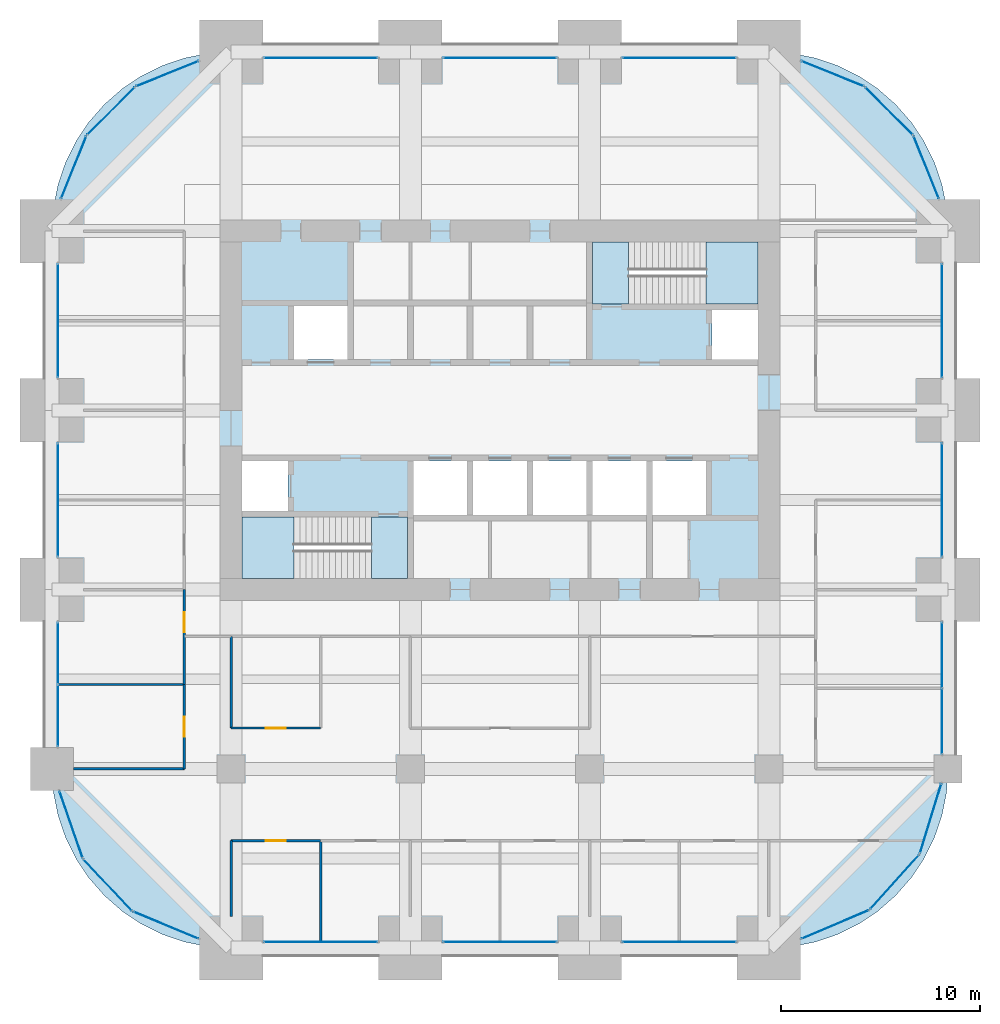
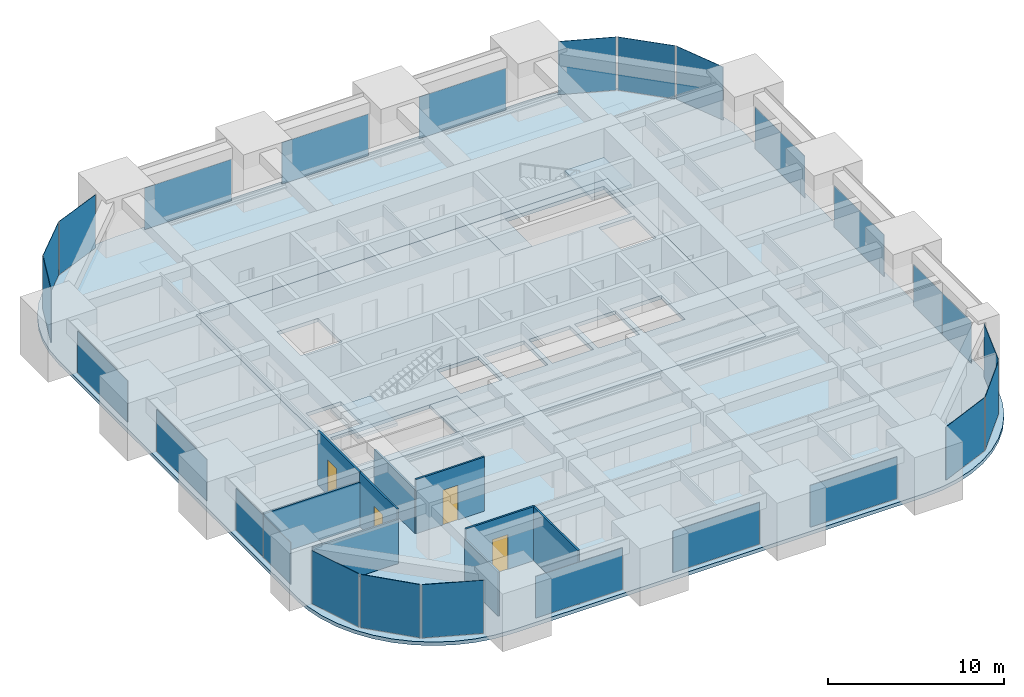
# One storey, part 39 of 43: 26 plates, 9 walls, 6 slabs, 4 doors, 4 openings, 26 elements without a shape of their own.
"""IFC4 building model written with IfcOpenShell, lengths in metres."""

from ifc_helpers import new_model, si_unit, direction, frame, frame_2d, origin, origin_2d, place, context, subcontext, project, spatial, polyline, rectangle, outline, extrude, material, layer, layer_set, type_object, element, fill, aggregate, save


model = new_model("IFC4")

# Units and contexts
model_context = context("Model", 3, precision=1e-05, world=origin(), true_north=direction((0.0, 1.0)))
body_context = subcontext(model_context, "Body", "Model", "MODEL_VIEW")
ifc_project = project(units=[si_unit("LENGTHUNIT", "METRE"), si_unit("AREAUNIT", "SQUARE_METRE"), si_unit("VOLUMEUNIT", "CUBIC_METRE"), si_unit("PLANEANGLEUNIT", "RADIAN"), si_unit("MASSUNIT", "GRAM", prefix="KILO")], contexts=[model_context])

# Site, building, storey
site_placement = place(None, origin())
site = spatial("IfcSite", under=ifc_project, at=site_placement, CompositionType="ELEMENT")
building_placement = place(site_placement, origin())
building = spatial("IfcBuilding", under=site, at=building_placement, Name="Zorevar Civic Tower", CompositionType="ELEMENT")
storey_placement = place(building_placement, frame((0.0, 0.0, 243.39990234375)))
storey = spatial("IfcBuildingStorey", under=building, at=storey_placement, Name="L59", CompositionType="ELEMENT", Elevation=243.39990234375)

# Curtain wall, plate
ifc_material_1 = material(Name="Dark grey solar-control glass in black aluminium frame", Category="aluminium")
curtain_wall_type = type_object("IfcCurtainWallType", Name="Curtain wall CW5 top zone", PredefinedType="NOTDEFINED", material=ifc_material_1)
curtain_wall_1_placement = place(storey_placement, origin())
curtain_wall_1 = element("IfcCurtainWall", 1, at=curtain_wall_1_placement, inside=storey, type_object=curtain_wall_type, Name="CW5 L59", PredefinedType="NOTDEFINED")
ifc_material_2 = material(Name="Dark grey solar-control glass", Category="glass")
ifc_layer_1 = layer(ifc_material_2, 0.028076171875)
ifc_layer_set_1 = layer_set([ifc_layer_1], Name="CW5 panel 28")
plate_type = type_object("IfcPlateType", Name="CW5 panel 28", PredefinedType="CURTAIN_PANEL", material=ifc_layer_set_1)
plate_1_placement = place(storey_placement, frame((22.5, 0.300048828125, 0.06005859375), z_axis=(0.0, 0.0, 1.0), x_axis=(1.0, 0.0, 0.0)))
plate_1 = element("IfcPlate", 2, at=plate_1_placement, type_object=plate_type, Name="CW5 panel 1.1", PredefinedType="CURTAIN_PANEL", context=body_context, shape_type="SweptSolid", body=[
    extrude(rectangle(XDim=5.679931640625, YDim=0.028076171875, at=origin_2d()), origin(), (0.0, 0.0, 1.0), 2.889892578125),
])
aggregate(curtain_wall_1, [plate_1])

curtain_wall_2_placement = place(storey_placement, origin())
curtain_wall_2 = element("IfcCurtainWall", 3, at=curtain_wall_2_placement, inside=storey, type_object=curtain_wall_type, Name="CW5 L59", PredefinedType="NOTDEFINED")
plate_2_placement = place(storey_placement, frame((22.5, 44.699951171875, 0.06005859375), z_axis=(0.0, 0.0, 1.0), x_axis=(1.0, 0.0, 0.0)))
plate_2 = element("IfcPlate", 4, at=plate_2_placement, type_object=plate_type, Name="CW5 panel 1.1", PredefinedType="CURTAIN_PANEL", context=body_context, shape_type="SweptSolid", body=[
    extrude(rectangle(XDim=5.679931640625, YDim=0.028076171875, at=origin_2d()), origin(), (0.0, 0.0, 1.0), 2.889892578125),
])
aggregate(curtain_wall_2, [plate_2])

curtain_wall_3_placement = place(storey_placement, origin())
curtain_wall_3 = element("IfcCurtainWall", 5, at=curtain_wall_3_placement, inside=storey, type_object=curtain_wall_type, Name="CW5 L59", PredefinedType="NOTDEFINED")
plate_3_placement = place(storey_placement, frame((31.5, 0.300048828125, 0.06005859375), z_axis=(0.0, 0.0, 1.0), x_axis=(1.0, 0.0, 0.0)))
plate_3 = element("IfcPlate", 6, at=plate_3_placement, type_object=plate_type, Name="CW5 panel 1.1", PredefinedType="CURTAIN_PANEL", context=body_context, shape_type="SweptSolid", body=[
    extrude(rectangle(XDim=5.679931640625, YDim=0.028076171875, at=origin_2d()), origin(), (0.0, 0.0, 1.0), 2.889892578125),
])
aggregate(curtain_wall_3, [plate_3])

curtain_wall_4_placement = place(storey_placement, origin())
curtain_wall_4 = element("IfcCurtainWall", 7, at=curtain_wall_4_placement, inside=storey, type_object=curtain_wall_type, Name="CW5 L59", PredefinedType="NOTDEFINED")
plate_4_placement = place(storey_placement, frame((31.5, 44.699951171875, 0.06005859375), z_axis=(0.0, 0.0, 1.0), x_axis=(1.0, 0.0, 0.0)))
plate_4 = element("IfcPlate", 8, at=plate_4_placement, type_object=plate_type, Name="CW5 panel 1.1", PredefinedType="CURTAIN_PANEL", context=body_context, shape_type="SweptSolid", body=[
    extrude(rectangle(XDim=5.679931640625, YDim=0.028076171875, at=origin_2d()), origin(), (0.0, 0.0, 1.0), 2.889892578125),
])
aggregate(curtain_wall_4, [plate_4])

curtain_wall_5_placement = place(storey_placement, origin())
curtain_wall_5 = element("IfcCurtainWall", 9, at=curtain_wall_5_placement, inside=storey, type_object=curtain_wall_type, Name="CW5 L59", PredefinedType="NOTDEFINED")
plate_5_placement = place(storey_placement, frame((40.5, 0.300048828125, 0.06005859375), z_axis=(0.0, 0.0, 1.0), x_axis=(1.0, 0.0, 0.0)))
plate_5 = element("IfcPlate", 10, at=plate_5_placement, type_object=plate_type, Name="CW5 panel 1.1", PredefinedType="CURTAIN_PANEL", context=body_context, shape_type="SweptSolid", body=[
    extrude(rectangle(XDim=5.679931640625, YDim=0.028076171875, at=origin_2d()), origin(), (0.0, 0.0, 1.0), 2.889892578125),
])
aggregate(curtain_wall_5, [plate_5])

curtain_wall_6_placement = place(storey_placement, origin())
curtain_wall_6 = element("IfcCurtainWall", 11, at=curtain_wall_6_placement, inside=storey, type_object=curtain_wall_type, Name="CW5 L59", PredefinedType="NOTDEFINED")
plate_6_placement = place(storey_placement, frame((40.5, 44.699951171875, 0.06005859375), z_axis=(0.0, 0.0, 1.0), x_axis=(1.0, 0.0, 0.0)))
plate_6 = element("IfcPlate", 12, at=plate_6_placement, type_object=plate_type, Name="CW5 panel 1.1", PredefinedType="CURTAIN_PANEL", context=body_context, shape_type="SweptSolid", body=[
    extrude(rectangle(XDim=5.679931640625, YDim=0.028076171875, at=origin_2d()), origin(), (0.0, 0.0, 1.0), 2.889892578125),
])
aggregate(curtain_wall_6, [plate_6])

# Curtain wall, plates
curtain_wall_7_placement = place(storey_placement, origin())
curtain_wall_7 = element("IfcCurtainWall", 13, at=curtain_wall_7_placement, inside=storey, type_object=curtain_wall_type, Name="CW5 L59", PredefinedType="NOTDEFINED")
plate_7_placement = place(storey_placement, frame((9.300048828125, 11.671142578125, 0.06005859375), z_axis=(0.0, 0.0, 1.0), x_axis=(0.0, 1.0, 0.0)))
plate_7 = element("IfcPlate", 14, at=plate_7_placement, type_object=plate_type, Name="CW5 panel 1.1", PredefinedType="CURTAIN_PANEL", context=body_context, shape_type="SweptSolid", body=[
    extrude(rectangle(XDim=3.072509765625, YDim=0.028076171875, at=origin_2d()), origin(), (0.0, 0.0, 1.0), 2.889892578125),
])
plate_8_placement = place(storey_placement, frame((9.300048828125, 14.8037109375, 0.06005859375), z_axis=(0.0, 0.0, 1.0), x_axis=(0.0, 1.0, 0.0)))
plate_8 = element("IfcPlate", 15, at=plate_8_placement, type_object=plate_type, Name="CW5 panel 2.1", PredefinedType="CURTAIN_PANEL", context=body_context, shape_type="SweptSolid", body=[
    extrude(rectangle(XDim=3.072509765625, YDim=0.028076171875, at=origin_2d()), origin(), (0.0, 0.0, 1.0), 2.889892578125),
])
aggregate(curtain_wall_7, [plate_7, plate_8])

curtain_wall_8_placement = place(storey_placement, origin())
curtain_wall_8 = element("IfcCurtainWall", 16, at=curtain_wall_8_placement, inside=storey, type_object=curtain_wall_type, Name="CW5 L59", PredefinedType="NOTDEFINED")
plate_9_placement = place(storey_placement, frame((53.699951171875, 11.389892578125, 0.06005859375), z_axis=(0.0, 0.0, 1.0), x_axis=(0.0, 1.0, 0.0)))
plate_9 = element("IfcPlate", 17, at=plate_9_placement, type_object=plate_type, Name="CW5 panel 1.1", PredefinedType="CURTAIN_PANEL", context=body_context, shape_type="SweptSolid", body=[
    extrude(rectangle(XDim=3.260009765625, YDim=0.028076171875, at=origin_2d()), origin(), (0.0, 0.0, 1.0), 2.889892578125),
])
plate_10_placement = place(storey_placement, frame((53.699951171875, 14.7099609375, 0.06005859375), z_axis=(0.0, 0.0, 1.0), x_axis=(0.0, 1.0, 0.0)))
plate_10 = element("IfcPlate", 18, at=plate_10_placement, type_object=plate_type, Name="CW5 panel 2.1", PredefinedType="CURTAIN_PANEL", context=body_context, shape_type="SweptSolid", body=[
    extrude(rectangle(XDim=3.260009765625, YDim=0.028076171875, at=origin_2d()), origin(), (0.0, 0.0, 1.0), 2.889892578125),
])
aggregate(curtain_wall_8, [plate_9, plate_10])

# Curtain wall, plate
curtain_wall_9_placement = place(storey_placement, origin())
curtain_wall_9 = element("IfcCurtainWall", 19, at=curtain_wall_9_placement, inside=storey, type_object=curtain_wall_type, Name="CW5 L59", PredefinedType="NOTDEFINED")
plate_11_placement = place(storey_placement, frame((9.300048828125, 22.5, 0.06005859375), z_axis=(0.0, 0.0, 1.0), x_axis=(0.0, 1.0, 0.0)))
plate_11 = element("IfcPlate", 20, at=plate_11_placement, type_object=plate_type, Name="CW5 panel 1.1", PredefinedType="CURTAIN_PANEL", context=body_context, shape_type="SweptSolid", body=[
    extrude(rectangle(XDim=5.679931640625, YDim=0.028076171875, at=origin_2d()), origin(), (0.0, 0.0, 1.0), 2.889892578125),
])
aggregate(curtain_wall_9, [plate_11])

curtain_wall_10_placement = place(storey_placement, origin())
curtain_wall_10 = element("IfcCurtainWall", 21, at=curtain_wall_10_placement, inside=storey, type_object=curtain_wall_type, Name="CW5 L59", PredefinedType="NOTDEFINED")
plate_12_placement = place(storey_placement, frame((53.699951171875, 22.5, 0.06005859375), z_axis=(0.0, 0.0, 1.0), x_axis=(0.0, 1.0, 0.0)))
plate_12 = element("IfcPlate", 22, at=plate_12_placement, type_object=plate_type, Name="CW5 panel 1.1", PredefinedType="CURTAIN_PANEL", context=body_context, shape_type="SweptSolid", body=[
    extrude(rectangle(XDim=5.679931640625, YDim=0.028076171875, at=origin_2d()), origin(), (0.0, 0.0, 1.0), 2.889892578125),
])
aggregate(curtain_wall_10, [plate_12])

curtain_wall_11_placement = place(storey_placement, origin())
curtain_wall_11 = element("IfcCurtainWall", 23, at=curtain_wall_11_placement, inside=storey, type_object=curtain_wall_type, Name="CW5 L59", PredefinedType="NOTDEFINED")
plate_13_placement = place(storey_placement, frame((9.300048828125, 31.5, 0.06005859375), z_axis=(0.0, 0.0, 1.0), x_axis=(0.0, 1.0, 0.0)))
plate_13 = element("IfcPlate", 24, at=plate_13_placement, type_object=plate_type, Name="CW5 panel 1.1", PredefinedType="CURTAIN_PANEL", context=body_context, shape_type="SweptSolid", body=[
    extrude(rectangle(XDim=5.679931640625, YDim=0.028076171875, at=origin_2d()), origin(), (0.0, 0.0, 1.0), 2.889892578125),
])
aggregate(curtain_wall_11, [plate_13])

curtain_wall_12_placement = place(storey_placement, origin())
curtain_wall_12 = element("IfcCurtainWall", 25, at=curtain_wall_12_placement, inside=storey, type_object=curtain_wall_type, Name="CW5 L59", PredefinedType="NOTDEFINED")
plate_14_placement = place(storey_placement, frame((53.699951171875, 31.5, 0.06005859375), z_axis=(0.0, 0.0, 1.0), x_axis=(0.0, 1.0, 0.0)))
plate_14 = element("IfcPlate", 26, at=plate_14_placement, type_object=plate_type, Name="CW5 panel 1.1", PredefinedType="CURTAIN_PANEL", context=body_context, shape_type="SweptSolid", body=[
    extrude(rectangle(XDim=5.679931640625, YDim=0.028076171875, at=origin_2d()), origin(), (0.0, 0.0, 1.0), 2.889892578125),
])
aggregate(curtain_wall_12, [plate_14])

curtain_wall_13_placement = place(storey_placement, origin())
curtain_wall_13 = element("IfcCurtainWall", 27, at=curtain_wall_13_placement, inside=storey, type_object=curtain_wall_type, Name="CW5 L59", PredefinedType="NOTDEFINED")
plate_15_placement = place(storey_placement, frame((48.32763671875, 1.18408203125, 0.06005859375), z_axis=(0.0, 0.0, 1.0), x_axis=(0.920084364889, 0.391720259226, 0.0)))
plate_15 = element("IfcPlate", 28, at=plate_15_placement, type_object=plate_type, Name="CW5 panel 1.1", PredefinedType="CURTAIN_PANEL", context=body_context, shape_type="SweptSolid", body=[
    extrude(rectangle(XDim=3.635498046875, YDim=0.028076171875, at=origin_2d()), origin(), (0.0, 0.0, 1.0), 3.68994140625),
])
aggregate(curtain_wall_13, [plate_15])

curtain_wall_14_placement = place(storey_placement, origin())
curtain_wall_14 = element("IfcCurtainWall", 29, at=curtain_wall_14_placement, inside=storey, type_object=curtain_wall_type, Name="CW5 L59", PredefinedType="NOTDEFINED")
plate_16_placement = place(storey_placement, frame((51.31201171875, 3.31494140625, 0.06005859375), z_axis=(0.0, 0.0, 1.0), x_axis=(0.669241992122, 0.743044518169, 0.0)))
plate_16 = element("IfcPlate", 30, at=plate_16_placement, type_object=plate_type, Name="CW5 panel 1.1", PredefinedType="CURTAIN_PANEL", context=body_context, shape_type="SweptSolid", body=[
    extrude(rectangle(XDim=3.635498046875, YDim=0.028076171875, at=origin_2d()), origin(), (0.0, 0.0, 1.0), 3.68994140625),
])
aggregate(curtain_wall_14, [plate_16])

curtain_wall_15_placement = place(storey_placement, origin())
curtain_wall_15 = element("IfcCurtainWall", 31, at=curtain_wall_15_placement, inside=storey, type_object=curtain_wall_type, Name="CW5 L59", PredefinedType="NOTDEFINED")
plate_17_placement = place(storey_placement, frame((53.120361328125, 6.505126953125, 0.06005859375), z_axis=(0.0, 0.0, 1.0), x_axis=(0.293691991287, 0.955900106839, 0.0)))
plate_17 = element("IfcPlate", 32, at=plate_17_placement, type_object=plate_type, Name="CW5 panel 1.1", PredefinedType="CURTAIN_PANEL", context=body_context, shape_type="SweptSolid", body=[
    extrude(rectangle(XDim=3.635498046875, YDim=0.028076171875, at=origin_2d()), origin(), (0.0, 0.0, 1.0), 3.68994140625),
])
aggregate(curtain_wall_15, [plate_17])

curtain_wall_16_placement = place(storey_placement, origin())
curtain_wall_16 = element("IfcCurtainWall", 33, at=curtain_wall_16_placement, inside=storey, type_object=curtain_wall_type, Name="CW5 L59", PredefinedType="NOTDEFINED")
plate_18_placement = place(storey_placement, frame((52.90185546875, 39.202880859375, 0.06005859375), z_axis=(0.0, 0.0, 1.0), x_axis=(-0.375650166453, 0.926761540227, 0.0)))
plate_18 = element("IfcPlate", 34, at=plate_18_placement, type_object=plate_type, Name="CW5 panel 1.1", PredefinedType="CURTAIN_PANEL", context=body_context, shape_type="SweptSolid", body=[
    extrude(rectangle(XDim=3.33935546875, YDim=0.028076171875, at=origin_2d()), origin(), (0.0, 0.0, 1.0), 3.68994140625),
])
aggregate(curtain_wall_16, [plate_18])

curtain_wall_17_placement = place(storey_placement, origin())
curtain_wall_17 = element("IfcCurtainWall", 35, at=curtain_wall_17_placement, inside=storey, type_object=curtain_wall_type, Name="CW5 L59", PredefinedType="NOTDEFINED")
plate_19_placement = place(storey_placement, frame((51.029052734375, 42.029052734375, 0.06005859375), z_axis=(0.0, 0.0, 1.0), x_axis=(-0.707106781187, 0.707106781187, 0.0)))
plate_19 = element("IfcPlate", 36, at=plate_19_placement, type_object=plate_type, Name="CW5 panel 1.1", PredefinedType="CURTAIN_PANEL", context=body_context, shape_type="SweptSolid", body=[
    extrude(rectangle(XDim=3.33935546875, YDim=0.028076171875, at=origin_2d()), origin(), (0.0, 0.0, 1.0), 3.68994140625),
])
aggregate(curtain_wall_17, [plate_19])

curtain_wall_18_placement = place(storey_placement, origin())
curtain_wall_18 = element("IfcCurtainWall", 37, at=curtain_wall_18_placement, inside=storey, type_object=curtain_wall_type, Name="CW5 L59", PredefinedType="NOTDEFINED")
plate_20_placement = place(storey_placement, frame((48.202880859375, 43.90185546875, 0.06005859375), z_axis=(0.0, 0.0, 1.0), x_axis=(-0.926761540227, 0.375650166453, 0.0)))
plate_20 = element("IfcPlate", 38, at=plate_20_placement, type_object=plate_type, Name="CW5 panel 1.1", PredefinedType="CURTAIN_PANEL", context=body_context, shape_type="SweptSolid", body=[
    extrude(rectangle(XDim=3.33935546875, YDim=0.028076171875, at=origin_2d()), origin(), (0.0, 0.0, 1.0), 3.68994140625),
])
aggregate(curtain_wall_18, [plate_20])

curtain_wall_19_placement = place(storey_placement, origin())
curtain_wall_19 = element("IfcCurtainWall", 39, at=curtain_wall_19_placement, inside=storey, type_object=curtain_wall_type, Name="CW5 L59", PredefinedType="NOTDEFINED")
plate_21_placement = place(storey_placement, frame((14.797119140625, 43.90185546875, 0.06005859375), z_axis=(0.0, 0.0, 1.0), x_axis=(-0.926761540227, -0.375650166453, 0.0)))
plate_21 = element("IfcPlate", 40, at=plate_21_placement, type_object=plate_type, Name="CW5 panel 1.1", PredefinedType="CURTAIN_PANEL", context=body_context, shape_type="SweptSolid", body=[
    extrude(rectangle(XDim=3.33935546875, YDim=0.028076171875, at=origin_2d()), origin(), (0.0, 0.0, 1.0), 3.68994140625),
])
aggregate(curtain_wall_19, [plate_21])

curtain_wall_20_placement = place(storey_placement, origin())
curtain_wall_20 = element("IfcCurtainWall", 41, at=curtain_wall_20_placement, inside=storey, type_object=curtain_wall_type, Name="CW5 L59", PredefinedType="NOTDEFINED")
plate_22_placement = place(storey_placement, frame((11.970947265625, 42.029052734375, 0.06005859375), z_axis=(0.0, 0.0, 1.0), x_axis=(-0.707106781187, -0.707106781187, 0.0)))
plate_22 = element("IfcPlate", 42, at=plate_22_placement, type_object=plate_type, Name="CW5 panel 1.1", PredefinedType="CURTAIN_PANEL", context=body_context, shape_type="SweptSolid", body=[
    extrude(rectangle(XDim=3.33935546875, YDim=0.028076171875, at=origin_2d()), origin(), (0.0, 0.0, 1.0), 3.68994140625),
])
aggregate(curtain_wall_20, [plate_22])

curtain_wall_21_placement = place(storey_placement, origin())
curtain_wall_21 = element("IfcCurtainWall", 43, at=curtain_wall_21_placement, inside=storey, type_object=curtain_wall_type, Name="CW5 L59", PredefinedType="NOTDEFINED")
plate_23_placement = place(storey_placement, frame((10.09814453125, 39.202880859375, 0.06005859375), z_axis=(0.0, 0.0, 1.0), x_axis=(-0.375650166453, -0.926761540227, 0.0)))
plate_23 = element("IfcPlate", 44, at=plate_23_placement, type_object=plate_type, Name="CW5 panel 1.1", PredefinedType="CURTAIN_PANEL", context=body_context, shape_type="SweptSolid", body=[
    extrude(rectangle(XDim=3.33935546875, YDim=0.028076171875, at=origin_2d()), origin(), (0.0, 0.0, 1.0), 3.68994140625),
])
aggregate(curtain_wall_21, [plate_23])

curtain_wall_22_placement = place(storey_placement, origin())
curtain_wall_22 = element("IfcCurtainWall", 45, at=curtain_wall_22_placement, inside=storey, type_object=curtain_wall_type, Name="CW5 L59", PredefinedType="NOTDEFINED")
plate_24_placement = place(storey_placement, frame((9.962646484375, 6.209228515625, 0.06005859375), z_axis=(0.0, 0.0, 1.0), x_axis=(0.328026425047, -0.944668547413, 0.0)))
plate_24 = element("IfcPlate", 46, at=plate_24_placement, type_object=plate_type, Name="CW5 panel 1.1", PredefinedType="CURTAIN_PANEL", context=body_context, shape_type="SweptSolid", body=[
    extrude(rectangle(XDim=3.5126953125, YDim=0.028076171875, at=origin_2d()), origin(), (0.0, 0.0, 1.0), 3.68994140625),
])
aggregate(curtain_wall_22, [plate_24])

curtain_wall_23_placement = place(storey_placement, origin())
curtain_wall_23 = element("IfcCurtainWall", 47, at=curtain_wall_23_placement, inside=storey, type_object=curtain_wall_type, Name="CW5 L59", PredefinedType="NOTDEFINED")
plate_25_placement = place(storey_placement, frame((11.802978515625, 3.17041015625, 0.06005859375), z_axis=(0.0, 0.0, 1.0), x_axis=(0.68518489169, -0.728369181253, 0.0)))
plate_25 = element("IfcPlate", 48, at=plate_25_placement, type_object=plate_type, Name="CW5 panel 1.1", PredefinedType="CURTAIN_PANEL", context=body_context, shape_type="SweptSolid", body=[
    extrude(rectangle(XDim=3.5126953125, YDim=0.028076171875, at=origin_2d()), origin(), (0.0, 0.0, 1.0), 3.68994140625),
])
aggregate(curtain_wall_23, [plate_25])

curtain_wall_24_placement = place(storey_placement, origin())
curtain_wall_24 = element("IfcCurtainWall", 49, at=curtain_wall_24_placement, inside=storey, type_object=curtain_wall_type, Name="CW5 L59", PredefinedType="NOTDEFINED")
plate_26_placement = place(storey_placement, frame((14.7236328125, 1.14794921875, 0.06005859375), z_axis=(0.0, 0.0, 1.0), x_axis=(0.922883004992, -0.385080457954, 0.0)))
plate_26 = element("IfcPlate", 50, at=plate_26_placement, type_object=plate_type, Name="CW5 panel 1.1", PredefinedType="CURTAIN_PANEL", context=body_context, shape_type="SweptSolid", body=[
    extrude(rectangle(XDim=3.5126953125, YDim=0.028076171875, at=origin_2d()), origin(), (0.0, 0.0, 1.0), 3.68994140625),
])
aggregate(curtain_wall_24, [plate_26])

# Slabs
ifc_material_3 = material(Name="Concrete C40/50", Category="concrete")
ifc_layer_2 = layer(ifc_material_3, 0.25)
ifc_layer_set_2 = layer_set([ifc_layer_2], Name="Floor slab 250")
slab_type_1 = type_object("IfcSlabType", Name="Floor slab 250", PredefinedType="FLOOR", material=ifc_layer_set_2)
slab_1_placement = place(storey_placement, frame((0.0, 0.0, -0.25)))
element("IfcSlab", 51, at=slab_1_placement, inside=storey, type_object=slab_type_1, Name="Floor slab L59", PredefinedType="FLOOR", context=body_context, shape_type="SweptSolid", body=[
    extrude(outline(polyline([(45.0, 0.0), (46.1748046875, 0.076904296875), (47.329345703125, 0.306640625), (48.444091796875, 0.68505859375), (49.5, 1.205810546875), (50.478759765625, 1.85986328125), (51.364013671875, 2.635986328125), (52.14013671875, 3.521240234375), (52.794189453125, 4.5), (53.31494140625, 5.555908203125), (53.693359375, 6.670654296875), (53.923095703125, 7.8251953125), (54.0, 9.0), (54.0, 36.0), (53.923095703125, 37.1748046875), (53.693359375, 38.329345703125), (53.31494140625, 39.444091796875), (52.794189453125, 40.5), (52.14013671875, 41.478759765625), (51.364013671875, 42.364013671875), (50.478759765625, 43.14013671875), (49.5, 43.794189453125), (48.444091796875, 44.31494140625), (47.329345703125, 44.693359375), (46.1748046875, 44.923095703125), (45.0, 45.0), (18.0, 45.0), (16.8251953125, 44.923095703125), (15.670654296875, 44.693359375), (14.555908203125, 44.31494140625), (13.5, 43.794189453125), (12.521240234375, 43.14013671875), (11.635986328125, 42.364013671875), (10.85986328125, 41.478759765625), (10.205810546875, 40.5), (9.68505859375, 39.444091796875), (9.306640625, 38.329345703125), (9.076904296875, 37.1748046875), (9.0, 36.0), (9.0, 9.0), (9.076904296875, 7.8251953125), (9.306640625, 6.670654296875), (9.68505859375, 5.555908203125), (10.205810546875, 4.5), (10.85986328125, 3.521240234375), (11.635986328125, 2.635986328125), (12.521240234375, 1.85986328125), (13.5, 1.205810546875), (14.555908203125, 0.68505859375), (15.670654296875, 0.306640625), (16.8251953125, 0.076904296875), (18.0, 0.0), (45.0, 0.0)]), holes=[polyline([(18.0, 18.0), (45.0, 18.0), (45.0, 36.0), (18.0, 36.0), (18.0, 18.0)])]), origin(), (0.0, 0.0, 1.0), 0.25),
])
slab_2_placement = place(storey_placement, frame((0.0, 0.0, -0.25)))
element("IfcSlab", 52, at=slab_2_placement, inside=storey, type_object=slab_type_1, Name="Core floor L59", PredefinedType="FLOOR", context=body_context, shape_type="SweptSolid", body=[
    extrude(outline(polyline([(18.0, 18.0), (45.0, 18.0), (45.0, 36.0), (18.0, 36.0), (18.0, 18.0)]), holes=[polyline([(18.550048828125, 18.550048828125), (26.85009765625, 18.550048828125), (26.85009765625, 21.64990234375), (18.550048828125, 21.64990234375), (18.550048828125, 18.550048828125)]), polyline([(36.14990234375, 32.35009765625), (44.449951171875, 32.35009765625), (44.449951171875, 35.449951171875), (36.14990234375, 35.449951171875), (36.14990234375, 32.35009765625)]), polyline([(18.550048828125, 21.949951171875), (20.85009765625, 21.949951171875), (20.85009765625, 24.449951171875), (18.550048828125, 24.449951171875), (18.550048828125, 21.949951171875)]), polyline([(42.14990234375, 29.550048828125), (44.449951171875, 29.550048828125), (44.449951171875, 32.050048828125), (42.14990234375, 32.050048828125), (42.14990234375, 29.550048828125)]), polyline([(27.14990234375, 21.75), (29.85009765625, 21.75), (29.85009765625, 24.449951171875), (27.14990234375, 24.449951171875), (27.14990234375, 21.75)]), polyline([(30.14990234375, 21.75), (32.85009765625, 21.75), (32.85009765625, 24.449951171875), (30.14990234375, 24.449951171875), (30.14990234375, 21.75)]), polyline([(33.14990234375, 21.75), (35.85009765625, 21.75), (35.85009765625, 24.449951171875), (33.14990234375, 24.449951171875), (33.14990234375, 21.75)]), polyline([(36.14990234375, 21.75), (38.85009765625, 21.75), (38.85009765625, 24.449951171875), (36.14990234375, 24.449951171875), (36.14990234375, 21.75)]), polyline([(39.14990234375, 21.75), (41.85009765625, 21.75), (41.85009765625, 24.449951171875), (39.14990234375, 24.449951171875), (39.14990234375, 21.75)]), polyline([(21.14990234375, 29.550048828125), (23.85009765625, 29.550048828125), (23.85009765625, 32.25), (21.14990234375, 32.25), (21.14990234375, 29.550048828125)])]), origin(), (0.0, 0.0, 1.0), 0.25),
])

# Stair, slabs
ifc_material_4 = material(Name="Precast concrete C40/50", Category="concrete")
stair_type = type_object("IfcStairType", Name="Stair ST 28R", PredefinedType="HALF_TURN_STAIR", material=ifc_material_4)
stair_1_placement = place(storey_placement, origin())
stair_1 = element("IfcStair", 53, at=stair_1_placement, inside=storey, type_object=stair_type, Name="Stair ST1 L59", PredefinedType="HALF_TURN_STAIR")
ifc_material_5 = material(Name="Concrete C40/50", Category="concrete")
ifc_layer_3 = layer(ifc_material_5, 0.199951171875)
ifc_layer_set_3 = layer_set([ifc_layer_3], Name="Stair landing 200")
slab_type_2 = type_object("IfcSlabType", Name="Stair landing 200", PredefinedType="LANDING", material=ifc_layer_set_3)
slab_3_placement = place(storey_placement, frame((0.0, 0.0, -0.199951171875)))
slab_3 = element("IfcSlab", 54, at=slab_3_placement, type_object=slab_type_2, Name="ST1 landing 1", PredefinedType="LANDING", context=body_context, shape_type="SweptSolid", body=[
    extrude(outline(polyline([(25.050048828125, 18.550048828125), (26.85009765625, 18.550048828125), (26.85009765625, 21.64990234375), (25.050048828125, 21.64990234375), (25.050048828125, 18.550048828125)])), origin(), (0.0, 0.0, 1.0), 0.199951171875),
])
slab_4_placement = place(storey_placement, frame((0.0, 0.0, 1.800048828125)))
slab_4 = element("IfcSlab", 55, at=slab_4_placement, type_object=slab_type_2, Name="ST1 landing 2", PredefinedType="LANDING", context=body_context, shape_type="SweptSolid", body=[
    extrude(outline(polyline([(18.550048828125, 18.550048828125), (21.14990234375, 18.550048828125), (21.14990234375, 21.64990234375), (18.550048828125, 21.64990234375), (18.550048828125, 18.550048828125)])), origin(), (0.0, 0.0, 1.0), 0.199951171875),
])
aggregate(stair_1, [slab_3, slab_4])

stair_2_placement = place(storey_placement, origin())
stair_2 = element("IfcStair", 56, at=stair_2_placement, inside=storey, type_object=stair_type, Name="Stair ST2 L59", PredefinedType="HALF_TURN_STAIR")
slab_5_placement = place(storey_placement, frame((0.0, 0.0, -0.199951171875)))
slab_5 = element("IfcSlab", 57, at=slab_5_placement, type_object=slab_type_2, Name="ST2 landing 1", PredefinedType="LANDING", context=body_context, shape_type="SweptSolid", body=[
    extrude(outline(polyline([(37.949951171875, 32.35009765625), (36.14990234375, 32.35009765625), (36.14990234375, 35.449951171875), (37.949951171875, 35.449951171875), (37.949951171875, 32.35009765625)])), origin(), (0.0, 0.0, 1.0), 0.199951171875),
])
slab_6_placement = place(storey_placement, frame((0.0, 0.0, 1.800048828125)))
slab_6 = element("IfcSlab", 58, at=slab_6_placement, type_object=slab_type_2, Name="ST2 landing 2", PredefinedType="LANDING", context=body_context, shape_type="SweptSolid", body=[
    extrude(outline(polyline([(44.449951171875, 32.35009765625), (41.85009765625, 32.35009765625), (41.85009765625, 35.449951171875), (44.449951171875, 35.449951171875), (44.449951171875, 32.35009765625)])), origin(), (0.0, 0.0, 1.0), 0.199951171875),
])
aggregate(stair_2, [slab_5, slab_6])

# Wall, opening, door
ifc_material_6 = material(Name="Gypsum board on steel studs", Category="steel")
ifc_layer_4 = layer(ifc_material_6, 0.1201171875)
ifc_layer_set_4 = layer_set([ifc_layer_4], Name="Partition 120")
wall_type = type_object("IfcWallType", Name="Partition 120", PredefinedType="PARTITIONING", material=ifc_layer_set_4)
wall_1_placement = place(storey_placement, frame((18.0, 5.39990234375, 0.0), z_axis=(0.0, 0.0, 1.0), x_axis=(1.0, 0.0, 0.0)))
wall_1 = element("IfcWall", 59, at=wall_1_placement, inside=storey, type_object=wall_type, Name="Partition 120 L59", PredefinedType="PARTITIONING", context=body_context, shape_type="SweptSolid", body=[
    extrude(rectangle(XDim=4.5, YDim=0.1201171875, at=frame_2d((2.25, 0.0))), origin(), (0.0, 0.0, 1.0), 3.75),
])
opening_1_placement = place(wall_1_placement, frame((1.75, 0.0, 0.0)))
opening_1 = element("IfcOpeningElement", 60, at=opening_1_placement, cuts=wall_1, Name="Opening L59.17", PredefinedType="OPENING", context=body_context, shape_type="SweptSolid", body=[
    extrude(rectangle(XDim=1.0, YDim=2.39990234375, at=frame_2d((0.5, 1.199951171875))), frame((0.0, 0.070068359375, 0.0), z_axis=(0.0, -1.0, 0.0), x_axis=(1.0, 0.0, 0.0)), (0.0, 0.0, 1.0), 0.14013671875),
])
ifc_material_7 = material(Name="Timber door set", Category="wood")
door_type = type_object("IfcDoorType", Name="Door D1 1000x2400", OperationType="SINGLE_SWING_LEFT", PredefinedType="DOOR", material=ifc_material_7)
door_1_placement = place(opening_1_placement, origin())
door_1 = element("IfcDoor", 61, at=door_1_placement, inside=storey, type_object=door_type, Name="Door L59 D1", OperationType="SINGLE_SWING_RIGHT", OverallHeight=2.39990234375, OverallWidth=1.0, PredefinedType="DOOR", context=body_context, shape_type="SweptSolid", body=[
    extrude(rectangle(XDim=1.0, YDim=2.39990234375, at=frame_2d((0.5, 1.199951171875))), frame((0.0, 0.02490234375, 0.0), z_axis=(0.0, -1.0, 0.0), x_axis=(1.0, 0.0, 0.0)), (0.0, 0.0, 1.0), 0.050048828125),
])
fill(opening_1, door_1)

# Wall
wall_2_placement = place(storey_placement, frame((10.074951171875, 9.0, 0.0), z_axis=(0.0, 0.0, 1.0), x_axis=(1.0, 0.0, 0.0)))
element("IfcWall", 62, at=wall_2_placement, inside=storey, type_object=wall_type, Name="Partition 120 L59", PredefinedType="PARTITIONING", context=body_context, shape_type="SweptSolid", body=[
    extrude(rectangle(XDim=5.574951171875, YDim=0.1201171875, at=frame_2d((2.78759765625, 0.0))), origin(), (0.0, 0.0, 1.0), 3.050048828125),
])

# Wall, opening, door
wall_3_placement = place(storey_placement, frame((18.0, 11.050048828125, 0.0), z_axis=(0.0, 0.0, 1.0), x_axis=(1.0, 0.0, 0.0)))
wall_3 = element("IfcWall", 63, at=wall_3_placement, inside=storey, type_object=wall_type, Name="Partition 120 L59", PredefinedType="PARTITIONING", context=body_context, shape_type="SweptSolid", body=[
    extrude(rectangle(XDim=4.5, YDim=0.1201171875, at=frame_2d((2.25, 0.0))), origin(), (0.0, 0.0, 1.0), 3.75),
])
opening_2_placement = place(wall_3_placement, frame((1.75, 0.0, 0.0)))
opening_2 = element("IfcOpeningElement", 64, at=opening_2_placement, cuts=wall_3, Name="Opening L59.24", PredefinedType="OPENING", context=body_context, shape_type="SweptSolid", body=[
    extrude(rectangle(XDim=1.0, YDim=2.39990234375, at=frame_2d((0.5, 1.199951171875))), frame((0.0, 0.070068359375, 0.0), z_axis=(0.0, -1.0, 0.0), x_axis=(1.0, 0.0, 0.0)), (0.0, 0.0, 1.0), 0.14013671875),
])
door_2_placement = place(opening_2_placement, origin())
door_2 = element("IfcDoor", 65, at=door_2_placement, inside=storey, type_object=door_type, Name="Door L59 D1", OperationType="SINGLE_SWING_LEFT", OverallHeight=2.39990234375, OverallWidth=1.0, PredefinedType="DOOR", context=body_context, shape_type="SweptSolid", body=[
    extrude(rectangle(XDim=1.0, YDim=2.39990234375, at=frame_2d((0.5, 1.199951171875))), frame((0.0, 0.02490234375, 0.0), z_axis=(0.0, -1.0, 0.0), x_axis=(1.0, 0.0, 0.0)), (0.0, 0.0, 1.0), 0.050048828125),
])
fill(opening_2, door_2)

# Wall
wall_4_placement = place(storey_placement, frame((9.31005859375, 13.237548828125, 0.0), z_axis=(0.0, 0.0, 1.0), x_axis=(1.0, 0.0, 0.0)))
element("IfcWall", 66, at=wall_4_placement, inside=storey, type_object=wall_type, Name="Partition 120 L59", PredefinedType="PARTITIONING", context=body_context, shape_type="SweptSolid", body=[
    extrude(rectangle(XDim=6.33984375, YDim=0.1201171875, at=frame_2d((3.169921875, 0.0))), origin(), (0.0, 0.0, 1.0), 3.10009765625),
])

# Wall, opening, door
wall_5_placement = place(storey_placement, frame((15.64990234375, 9.0, 0.0), z_axis=(0.0, 0.0, 1.0), x_axis=(0.0, 1.0, 0.0)))
wall_5 = element("IfcWall", 67, at=wall_5_placement, inside=storey, type_object=wall_type, Name="Partition 120 L59", PredefinedType="PARTITIONING", context=body_context, shape_type="SweptSolid", body=[
    extrude(rectangle(XDim=4.237548828125, YDim=0.1201171875, at=frame_2d((2.11865234375, 0.0))), origin(), (0.0, 0.0, 1.0), 3.75),
])
opening_3_placement = place(wall_5_placement, frame((1.618896484375, 0.0, 0.0)))
opening_3 = element("IfcOpeningElement", 68, at=opening_3_placement, cuts=wall_5, Name="Opening L59.27", PredefinedType="OPENING", context=body_context, shape_type="SweptSolid", body=[
    extrude(rectangle(XDim=1.0, YDim=2.39990234375, at=frame_2d((0.5, 1.199951171875))), frame((0.0, 0.070068359375, 0.0), z_axis=(0.0, -1.0, 0.0), x_axis=(1.0, 0.0, 0.0)), (0.0, 0.0, 1.0), 0.14013671875),
])
door_3_placement = place(opening_3_placement, origin())
door_3 = element("IfcDoor", 69, at=door_3_placement, inside=storey, type_object=door_type, Name="Door L59 D1", OperationType="SINGLE_SWING_RIGHT", OverallHeight=2.39990234375, OverallWidth=1.0, PredefinedType="DOOR", context=body_context, shape_type="SweptSolid", body=[
    extrude(rectangle(XDim=1.0, YDim=2.39990234375, at=frame_2d((0.5, 1.199951171875))), frame((0.0, 0.02490234375, 0.0), z_axis=(0.0, -1.0, 0.0), x_axis=(1.0, 0.0, 0.0)), (0.0, 0.0, 1.0), 0.050048828125),
])
fill(opening_3, door_3)

wall_6_placement = place(storey_placement, frame((15.64990234375, 13.237548828125, 0.0), z_axis=(0.0, 0.0, 1.0), x_axis=(0.0, 1.0, 0.0)))
wall_6 = element("IfcWall", 70, at=wall_6_placement, inside=storey, type_object=wall_type, Name="Partition 120 L59", PredefinedType="PARTITIONING", context=body_context, shape_type="SweptSolid", body=[
    extrude(rectangle(XDim=4.762451171875, YDim=0.1201171875, at=frame_2d((2.38134765625, 0.0))), origin(), (0.0, 0.0, 1.0), 3.75),
])
opening_4_placement = place(wall_6_placement, frame((2.631591796875, 0.0, 0.0)))
opening_4 = element("IfcOpeningElement", 71, at=opening_4_placement, cuts=wall_6, Name="Opening L59.28", PredefinedType="OPENING", context=body_context, shape_type="SweptSolid", body=[
    extrude(rectangle(XDim=1.0, YDim=2.39990234375, at=frame_2d((0.5, 1.199951171875))), frame((0.0, 0.070068359375, 0.0), z_axis=(0.0, -1.0, 0.0), x_axis=(1.0, 0.0, 0.0)), (0.0, 0.0, 1.0), 0.14013671875),
])
door_4_placement = place(opening_4_placement, origin())
door_4 = element("IfcDoor", 72, at=door_4_placement, inside=storey, type_object=door_type, Name="Door L59 D1", OperationType="SINGLE_SWING_RIGHT", OverallHeight=2.39990234375, OverallWidth=1.0, PredefinedType="DOOR", context=body_context, shape_type="SweptSolid", body=[
    extrude(rectangle(XDim=1.0, YDim=2.39990234375, at=frame_2d((0.5, 1.199951171875))), frame((0.0, 0.02490234375, 0.0), z_axis=(0.0, -1.0, 0.0), x_axis=(1.0, 0.0, 0.0)), (0.0, 0.0, 1.0), 0.050048828125),
])
fill(opening_4, door_4)

# Walls
wall_7_placement = place(storey_placement, frame((18.0, 1.60009765625, 0.0), z_axis=(0.0, 0.0, 1.0), x_axis=(0.0, 1.0, 0.0)))
element("IfcWall", 73, at=wall_7_placement, inside=storey, type_object=wall_type, Name="Partition 120 L59", PredefinedType="PARTITIONING", context=body_context, shape_type="SweptSolid", body=[
    extrude(rectangle(XDim=3.7998046875, YDim=0.1201171875, at=frame_2d((1.89990234375, 0.0))), origin(), (0.0, 0.0, 1.0), 3.050048828125),
])
wall_8_placement = place(storey_placement, frame((18.0, 11.050048828125, 0.0), z_axis=(0.0, 0.0, 1.0), x_axis=(0.0, 1.0, 0.0)))
element("IfcWall", 74, at=wall_8_placement, inside=storey, type_object=wall_type, Name="Partition 120 L59", PredefinedType="PARTITIONING", context=body_context, shape_type="SweptSolid", body=[
    extrude(rectangle(XDim=4.599853515625, YDim=0.1201171875, at=frame_2d((2.2998046875, 0.0))), origin(), (0.0, 0.0, 1.0), 3.050048828125),
])
wall_9_placement = place(storey_placement, frame((22.5, 0.31005859375, 0.0), z_axis=(0.0, 0.0, 1.0), x_axis=(0.0, 1.0, 0.0)))
element("IfcWall", 75, at=wall_9_placement, inside=storey, type_object=wall_type, Name="Partition 120 L59", PredefinedType="PARTITIONING", context=body_context, shape_type="SweptSolid", body=[
    extrude(rectangle(XDim=5.08984375, YDim=0.1201171875, at=frame_2d((2.544921875, 0.0))), origin(), (0.0, 0.0, 1.0), 3.75),
])

save(model, "model.ifc")
